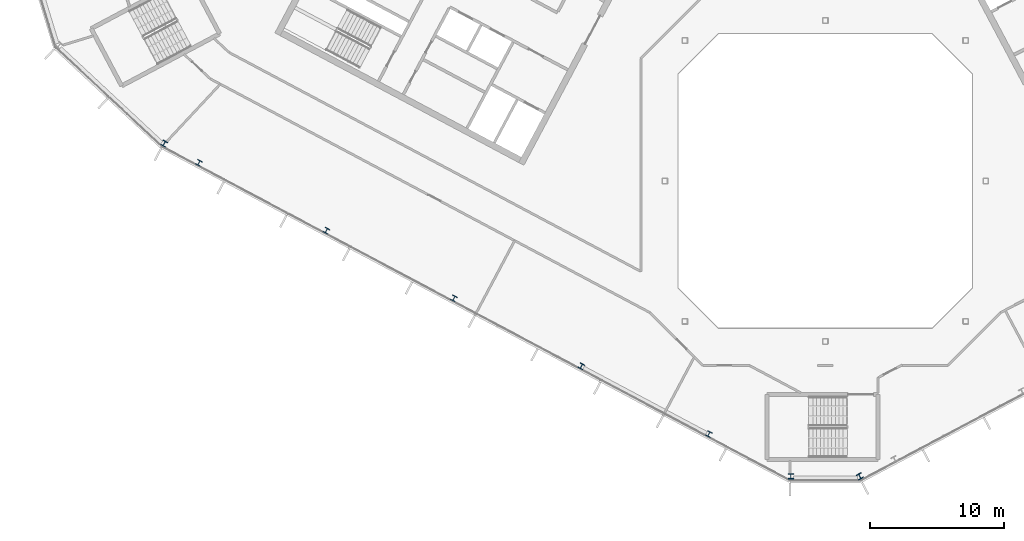
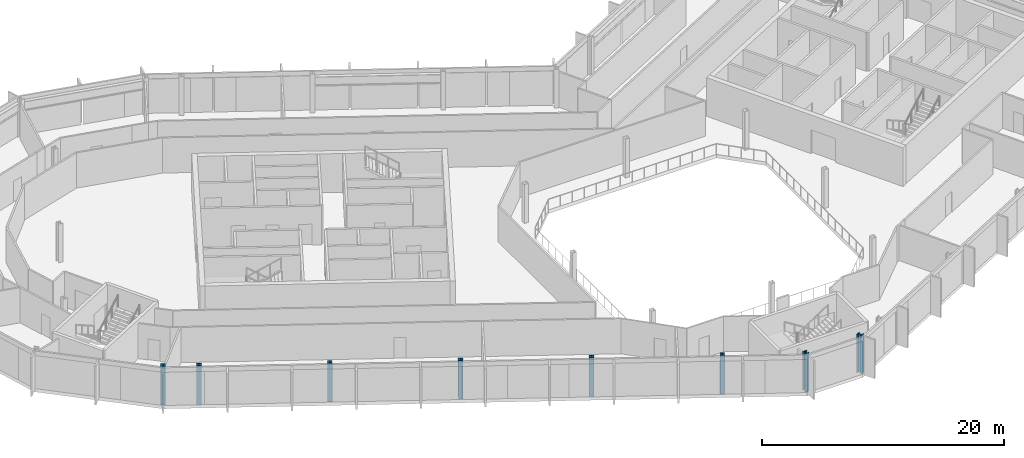
# One storey, part 1 of 25: 8 columns.
"""IFC4 building model written with IfcOpenShell, lengths in metres."""

from ifc_helpers import new_model, si_unit, direction, frame, origin, origin_2d, place, context, subcontext, project, spatial, i_section, extrude, material, material_profile, profile_set, type_object, element, save


model = new_model("IFC4")

# Units and contexts
model_context = context("Model", 3, precision=1e-05, world=origin(), true_north=direction((0.0, 1.0)))
body_context = subcontext(model_context, "Body", "Model", "MODEL_VIEW")
ifc_project = project(units=[si_unit("LENGTHUNIT", "METRE"), si_unit("AREAUNIT", "SQUARE_METRE"), si_unit("VOLUMEUNIT", "CUBIC_METRE"), si_unit("PLANEANGLEUNIT", "RADIAN"), si_unit("MASSUNIT", "GRAM", prefix="KILO")], contexts=[model_context])

# Site, building, storey
site_placement = place(None, origin())
site = spatial("IfcSite", under=ifc_project, at=site_placement, CompositionType="ELEMENT")
building_placement = place(site_placement, origin())
building = spatial("IfcBuilding", under=site, at=building_placement, Name="Cormorant Relay Tower", CompositionType="ELEMENT")
storey_placement = place(building_placement, frame((0.0, 0.0, 289.199951171875)))
storey = spatial("IfcBuildingStorey", under=building, at=storey_placement, Name="L65", CompositionType="ELEMENT", Elevation=289.199951171875)

# Columns
ifc_material_1 = material(Name="Steel ASTM A992 (Fy 345 MPa)", Category="steel")
ifc_material_profile_1 = material_profile(ifc_material_1, i_section(OverallWidth=0.398681640625, OverallDepth=0.385986328125, WebThickness=0.02099609375, FlangeThickness=0.033203125, FilletRadius=0.01513671875, at=origin_2d()), Name="W360x262")
ifc_profile_set_1 = profile_set([ifc_material_profile_1], Name="Steel ASTM A992 (Fy 345 MPa)")
column_type_1 = type_object("IfcColumnType", Name="Column W360x262", PredefinedType="COLUMN", material=ifc_profile_set_1)
for number, where, z_axis, x_axis, name in (
    (1, (-8.705078125, -18.928955078125, 0.0), (0.0, 0.0, 1.0), (0.882947592859, -0.469471562786, 0.0), "Column L65-004"),
    (2, (-18.240966796875, -13.85791015625, 0.0), (0.0, 0.0, 1.0), (0.882947592859, -0.469471562786, 0.0), "Column L65-006"),
    (3, (-27.777099609375, -8.7880859375, 0.0), (0.0, 0.0, 1.0), (0.882947592859, -0.469471562786, 0.0), "Column L65-011"),
    (4, (-37.31298828125, -3.718017578125, 0.0), (0.0, 0.0, 1.0), (0.882947592859, -0.469471562786, 0.0), "Column L65-013"),
    (5, (-46.84912109375, 1.35205078125, 0.0), (0.0, 0.0, 1.0), (0.882947592859, -0.469471562786, 0.0), "Column L65-017"),
):
    element("IfcColumn", number, at=place(storey_placement, frame(where, z_axis=z_axis, x_axis=x_axis)), inside=storey, type_object=column_type_1, Name=name, PredefinedType="COLUMN", context=body_context, shape_type="SweptSolid", body=[
        extrude(i_section(OverallWidth=0.398681640625, OverallDepth=0.385986328125, WebThickness=0.02099609375, FlangeThickness=0.033203125, FilletRadius=0.01513671875, at=origin_2d()), origin(), (0.0, 0.0, 1.0), 3.900146484375),
    ])
ifc_material_2 = material(Name="Steel ASTM A992 (Fy 345 MPa)", Category="steel")
ifc_material_profile_2 = material_profile(ifc_material_2, i_section(OverallWidth=0.40380859375, OverallDepth=0.406494140625, WebThickness=0.027099609375, FlangeThickness=0.043701171875, FilletRadius=0.01513671875, at=origin_2d()), Name="W360x347")
ifc_profile_set_2 = profile_set([ifc_material_profile_2], Name="Steel ASTM A992 (Fy 345 MPa)")
column_type_2 = type_object("IfcColumnType", Name="Column W360x347", PredefinedType="COLUMN", material=ifc_profile_set_2)
for number, where, z_axis, x_axis, name in (
    (6, (-2.5791015625, -22.093994140625, 0.0), (0.0, 0.0, 1.0), (1.0, 0.0, 0.0), "Column L65-001"),
    (7, (2.5791015625, -22.093994140625, 0.0), (0.0, 0.0, 1.0), (0.882947592859, 0.469471562786, 0.0), "Column L65-002"),
    (8, (-49.44091796875, 2.7958984375, 0.0), (0.0, 0.0, 1.0), (0.882947592859, -0.469471562786, 0.0), "Column L65-018"),
):
    element("IfcColumn", number, at=place(storey_placement, frame(where, z_axis=z_axis, x_axis=x_axis)), inside=storey, type_object=column_type_2, Name=name, PredefinedType="COLUMN", context=body_context, shape_type="SweptSolid", body=[
        extrude(i_section(OverallWidth=0.40380859375, OverallDepth=0.406494140625, WebThickness=0.027099609375, FlangeThickness=0.043701171875, FilletRadius=0.01513671875, at=origin_2d()), origin(), (0.0, 0.0, 1.0), 3.900146484375),
    ])

save(model, "model.ifc")
